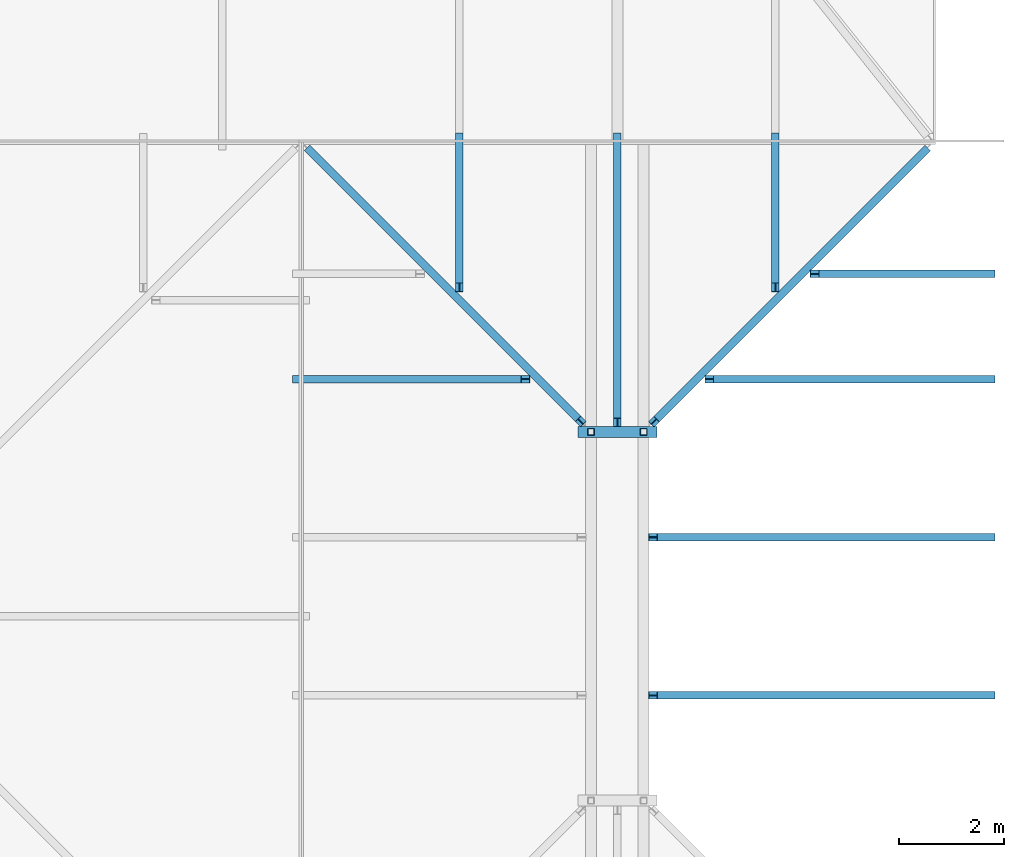
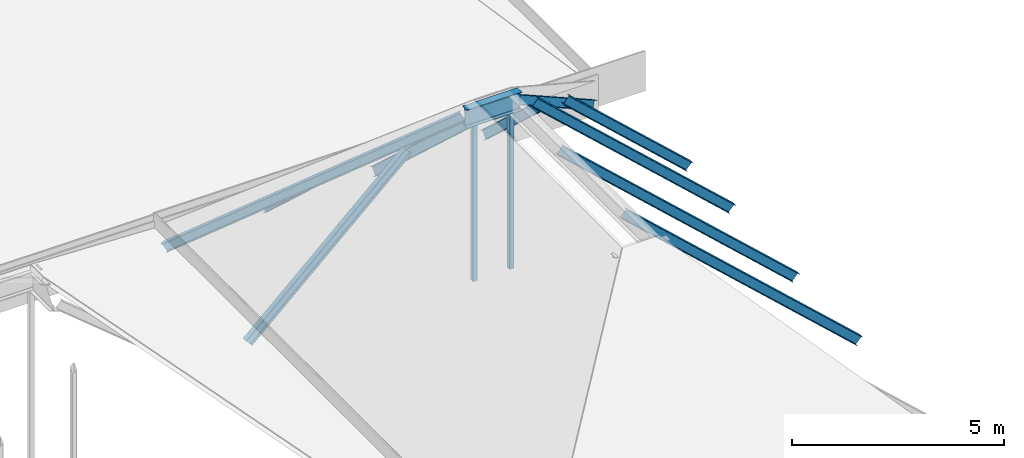
# One storey, part 32 of 57: 12 members, 1 beam.
"""IFC4 building model written with IfcOpenShell, lengths in metres."""

from ifc_helpers import new_model, si_unit, direction, frame, origin, origin_2d, place, context, subcontext, project, spatial, hollow_rectangle, i_section, extrude, material, material_profile, profile_set, type_object, element, save


model = new_model("IFC4")

# Units and contexts
model_context = context("Model", 3, precision=1e-05, world=origin(), true_north=direction((0.0, 1.0)))
body_context = subcontext(model_context, "Body", "Model", "MODEL_VIEW")
ifc_project = project(units=[si_unit("LENGTHUNIT", "METRE"), si_unit("AREAUNIT", "SQUARE_METRE"), si_unit("VOLUMEUNIT", "CUBIC_METRE"), si_unit("PLANEANGLEUNIT", "RADIAN"), si_unit("MASSUNIT", "GRAM", prefix="KILO")], contexts=[model_context])

# Site, building, storey
site_placement = place(None, origin())
site = spatial("IfcSite", under=ifc_project, at=site_placement, CompositionType="ELEMENT")
building_placement = place(site_placement, origin())
building = spatial("IfcBuilding", under=site, at=building_placement, Name="Saffron Lane Theatres", CompositionType="ELEMENT")
storey_placement = place(building_placement, frame((0.0, 0.0, 28.0)))
storey = spatial("IfcBuildingStorey", under=building, at=storey_placement, Name="Upper Roof", CompositionType="ELEMENT", Elevation=28.0)

# Beam
ifc_material_1 = material(Name="Steel Grade 350", Category="steel")
ifc_material_profile_1 = material_profile(ifc_material_1, i_section(OverallWidth=0.208984375, OverallDepth=0.532958984375, WebThickness=0.01025390625, FlangeThickness=0.015625, FilletRadius=0.013916015625, at=origin_2d()))
ifc_profile_set_1 = profile_set([ifc_material_profile_1], Name="Steel Grade 350")
beam_type = type_object("IfcBeamType", Name="ST-CROWN GIRDER 530UB92.4", PredefinedType="BEAM", material=ifc_profile_set_1)
beam_placement = place(storey_placement, frame((47.25, 102.5, 5.294677734375), z_axis=(1.0, 0.0, 0.0), x_axis=(0.0, 1.0, 0.0)))
element("IfcBeam", 1, at=beam_placement, inside=storey, type_object=beam_type, Name="BK3-C2", PredefinedType="BEAM", context=body_context, shape_type="SweptSolid", body=[
    extrude(i_section(OverallWidth=0.208984375, OverallDepth=0.532958984375, WebThickness=0.01025390625, FlangeThickness=0.015625, FilletRadius=0.013916015625, at=origin_2d()), origin(), (0.0, 0.0, 1.0), 1.5),
])

# Members
ifc_material_2 = material(Name="Steel Grade 350", Category="steel")
ifc_material_profile_2 = material_profile(ifc_material_2, i_section(OverallWidth=0.14599609375, OverallDepth=0.251953125, WebThickness=0.006103515625, FlangeThickness=0.008544921875, FilletRadius=0.011962890625, at=origin_2d()))
ifc_profile_set_2 = profile_set([ifc_material_profile_2], Name="Steel Grade 350")
member_type_1 = type_object("IfcMemberType", Name="ST-HIP RAFTER 250UB31.4", PredefinedType="RAFTER", material=ifc_profile_set_2)
for number, where, z_axis, x_axis, name in (
    (2, (42.1591796875, 107.8408203125, 0.105712890625), (0.579642029858, -0.579642029858, 0.572739237738), (0.707106781187, 0.707106781187, 0.0), "BK3-H2"),
    (3, (53.8408203125, 107.8408203125, 0.105712890625), (-0.579642029858, -0.579642029858, 0.572739237738), (0.707106781187, -0.707106781187, 0.0), "BK3-H4"),
):
    element("IfcMember", number, at=place(storey_placement, frame(where, z_axis=z_axis, x_axis=x_axis)), inside=storey, type_object=member_type_1, Name=name, PredefinedType="RAFTER", context=body_context, shape_type="SweptSolid", body=[
        extrude(i_section(OverallWidth=0.14599609375, OverallDepth=0.251953125, WebThickness=0.006103515625, FlangeThickness=0.008544921875, FilletRadius=0.011962890625, at=origin_2d()), origin(), (0.0, 0.0, 1.0), 8.87744140625),
    ])
ifc_material_3 = material(Name="Steel Grade 350", Category="steel")
ifc_material_profile_3 = material_profile(ifc_material_3, i_section(OverallWidth=0.14599609375, OverallDepth=0.251953125, WebThickness=0.006103515625, FlangeThickness=0.008544921875, FilletRadius=0.011962890625, at=origin_2d()))
ifc_profile_set_3 = profile_set([ifc_material_profile_3], Name="Steel Grade 350")
member_type_2 = type_object("IfcMemberType", Name="ST-JACK RAFTER 250UB31.4", PredefinedType="RAFTER", material=ifc_profile_set_3)
member_1_placement = place(storey_placement, frame((45.0, 108.085205078125, 0.0927734375), z_axis=(0.0, -0.735874284535, 0.677118185667), x_axis=(1.0, 0.0, 0.0)))
element("IfcMember", 4, at=member_1_placement, inside=storey, type_object=member_type_2, Name="BK3-K2", PredefinedType="RAFTER", context=body_context, shape_type="SweptSolid", body=[
    extrude(i_section(OverallWidth=0.14599609375, OverallDepth=0.251953125, WebThickness=0.006103515625, FlangeThickness=0.008544921875, FilletRadius=0.011962890625, at=origin_2d()), origin(), (0.0, 0.0, 1.0), 3.860107421875),
])
member_2_placement = place(storey_placement, frame((48.0, 108.085205078125, 0.0927734375), z_axis=(0.0, -0.735882670699, 0.67710907169), x_axis=(1.0, 0.0, 0.0)))
element("IfcMember", 5, at=member_2_placement, inside=storey, type_object=member_type_2, Name="BK3-K4", PredefinedType="RAFTER", context=body_context, shape_type="SweptSolid", body=[
    extrude(i_section(OverallWidth=0.14599609375, OverallDepth=0.251953125, WebThickness=0.006103515625, FlangeThickness=0.008544921875, FilletRadius=0.011962890625, at=origin_2d()), origin(), (0.0, 0.0, 1.0), 7.348388671875),
])
member_3_placement = place(storey_placement, frame((51.0, 108.085205078125, 0.0927734375), z_axis=(0.0, -0.735874284535, 0.677118185667), x_axis=(1.0, 0.0, 0.0)))
element("IfcMember", 6, at=member_3_placement, inside=storey, type_object=member_type_2, Name="BK3-K6", PredefinedType="RAFTER", context=body_context, shape_type="SweptSolid", body=[
    extrude(i_section(OverallWidth=0.14599609375, OverallDepth=0.251953125, WebThickness=0.006103515625, FlangeThickness=0.008544921875, FilletRadius=0.011962890625, at=origin_2d()), origin(), (0.0, 0.0, 1.0), 3.860107421875),
])
for number, where, z_axis, x_axis, name in (
    (7, (55.0869140625, 97.5, -0.828857421875), (-0.735886873709, 0.0, 0.677104503826), (0.0, -1.0, 0.0), "BK3-K10"),
    (8, (55.0869140625, 100.5, -0.828857421875), (-0.735886873709, 0.0, 0.677104503826), (0.0, -1.0, 0.0), "BK3-K12"),
):
    element("IfcMember", number, at=place(storey_placement, frame(where, z_axis=z_axis, x_axis=x_axis)), inside=storey, type_object=member_type_2, Name=name, PredefinedType="RAFTER", context=body_context, shape_type="SweptSolid", body=[
        extrude(i_section(OverallWidth=0.14599609375, OverallDepth=0.251953125, WebThickness=0.006103515625, FlangeThickness=0.008544921875, FilletRadius=0.011962890625, at=origin_2d()), origin(), (0.0, 0.0, 1.0), 8.70947265625),
    ])
member_4_placement = place(storey_placement, frame((41.914794921875, 103.5, 0.0927734375), z_axis=(0.735883163272, 0.0, 0.677108536361), x_axis=(0.0, 1.0, 0.0)))
element("IfcMember", 9, at=member_4_placement, inside=storey, type_object=member_type_2, Name="BK3-K13", PredefinedType="RAFTER", context=body_context, shape_type="SweptSolid", body=[
    extrude(i_section(OverallWidth=0.14599609375, OverallDepth=0.251953125, WebThickness=0.006103515625, FlangeThickness=0.008544921875, FilletRadius=0.011962890625, at=origin_2d()), origin(), (0.0, 0.0, 1.0), 5.8984375),
])
member_5_placement = place(storey_placement, frame((55.0869140625, 103.5, -0.66796875), z_axis=(-0.735871356643, 0.0, 0.677121367609), x_axis=(0.0, -1.0, 0.0)))
element("IfcMember", 10, at=member_5_placement, inside=storey, type_object=member_type_2, Name="BK3-K14", PredefinedType="RAFTER", context=body_context, shape_type="SweptSolid", body=[
    extrude(i_section(OverallWidth=0.14599609375, OverallDepth=0.251953125, WebThickness=0.006103515625, FlangeThickness=0.008544921875, FilletRadius=0.011962890625, at=origin_2d()), origin(), (0.0, 0.0, 1.0), 7.259765625),
])
member_6_placement = place(storey_placement, frame((55.0869140625, 105.5, -0.66796875), z_axis=(-0.735872086145, 0.0, 0.677120574811), x_axis=(0.0, -1.0, 0.0)))
element("IfcMember", 11, at=member_6_placement, inside=storey, type_object=member_type_2, Name="BK3-K16", PredefinedType="RAFTER", context=body_context, shape_type="SweptSolid", body=[
    extrude(i_section(OverallWidth=0.14599609375, OverallDepth=0.251953125, WebThickness=0.006103515625, FlangeThickness=0.008544921875, FilletRadius=0.011962890625, at=origin_2d()), origin(), (0.0, 0.0, 1.0), 4.5419921875),
])
ifc_material_4 = material(Name="Steel Grade 350", Category="steel")
ifc_material_profile_4 = material_profile(ifc_material_4, hollow_rectangle(XDim=0.125, YDim=0.125, WallThickness=0.006103515625, InnerFilletRadius=0.0029296875, OuterFilletRadius=0.009033203125, at=origin_2d()))
ifc_profile_set_4 = profile_set([ifc_material_profile_4], Name="Steel Grade 350")
member_type_3 = type_object("IfcMemberType", Name="ST-STUDIO POST 125x125x6 SHS", PredefinedType="POST", material=ifc_profile_set_4)
for number, where, z_axis, x_axis, name in (
    (12, (47.5, 102.5, 0.532958984375), (0.0, 0.0, 1.0), (1.0, 0.0, 0.0), "BK3-P1-102.5"),
    (13, (48.5, 102.5, 0.532958984375), (0.0, 0.0, 1.0), (1.0, 0.0, 0.0), "BK3-P2-102.5"),
):
    element("IfcMember", number, at=place(storey_placement, frame(where, z_axis=z_axis, x_axis=x_axis)), inside=storey, type_object=member_type_3, Name=name, PredefinedType="POST", context=body_context, shape_type="SweptSolid", body=[
        extrude(hollow_rectangle(XDim=0.125, YDim=0.125, WallThickness=0.006103515625, InnerFilletRadius=0.0029296875, OuterFilletRadius=0.009033203125, at=origin_2d()), origin(), (0.0, 0.0, 1.0), 4.4951171875),
    ])

save(model, "model.ifc")
